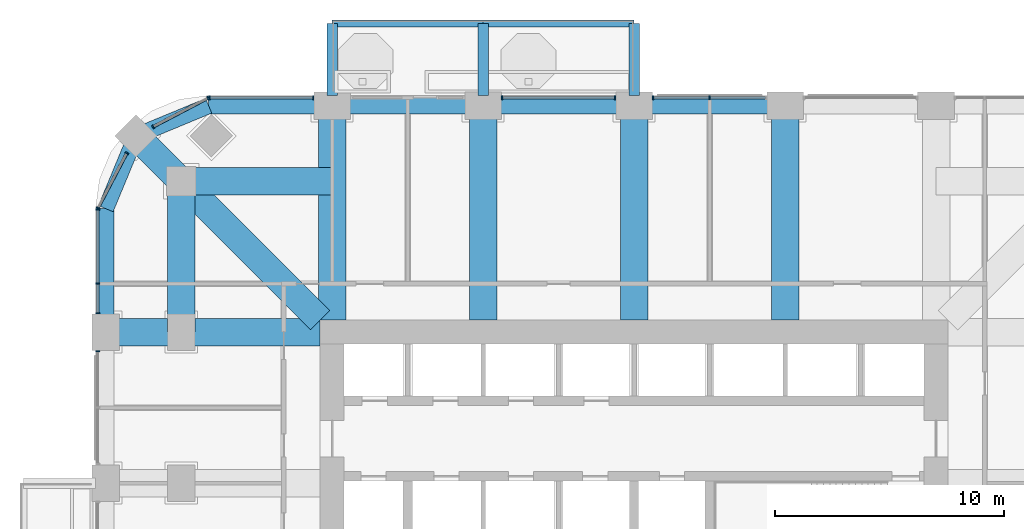
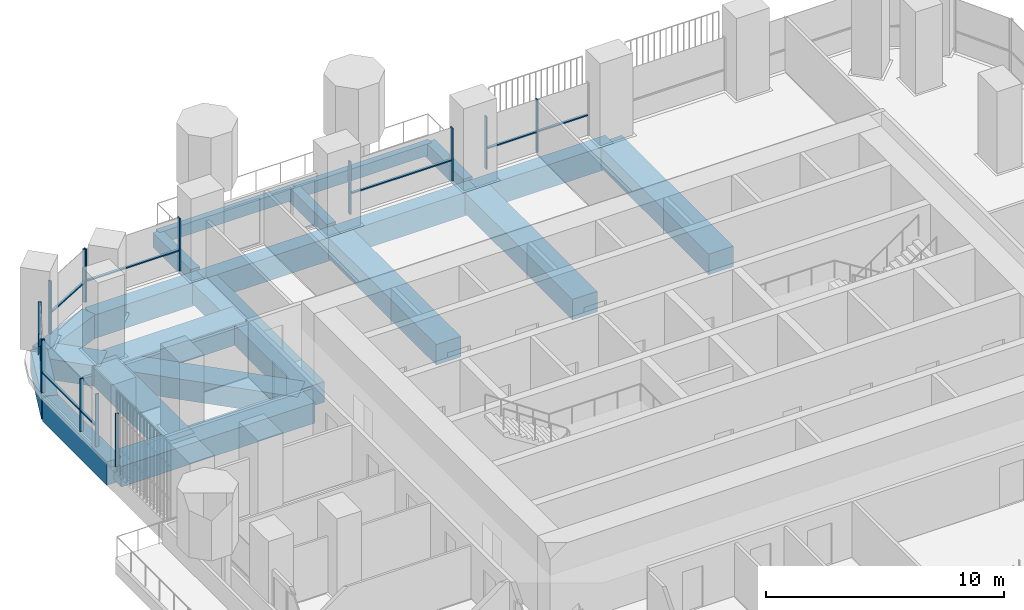
# One storey, part 6 of 19: 22 members, 21 beams, 7 elements without a shape of their own.
"""IFC4 building model written with IfcOpenShell, lengths in metres."""

from ifc_helpers import new_model, si_unit, direction, frame, origin, origin_2d, place, context, subcontext, project, spatial, rectangle, extrude, material, material_profile, profile_set, type_object, element, aggregate, save


model = new_model("IFC4")

# Units and contexts
model_context = context("Model", 3, precision=1e-05, world=origin(), true_north=direction((0.0, 1.0)))
body_context = subcontext(model_context, "Body", "Model", "MODEL_VIEW")
ifc_project = project(units=[si_unit("LENGTHUNIT", "METRE"), si_unit("AREAUNIT", "SQUARE_METRE"), si_unit("VOLUMEUNIT", "CUBIC_METRE"), si_unit("PLANEANGLEUNIT", "RADIAN"), si_unit("MASSUNIT", "GRAM", prefix="KILO")], contexts=[model_context])

# Site, building, storey
site_placement = place(None, origin())
site = spatial("IfcSite", under=ifc_project, at=site_placement, CompositionType="ELEMENT")
building_placement = place(site_placement, origin())
building = spatial("IfcBuilding", under=site, at=building_placement, Name="Cobogo Forest Laboratory Tower", CompositionType="ELEMENT")
storey_placement = place(building_placement, frame((0.0, 0.0, 159.89990234375)))
storey = spatial("IfcBuildingStorey", under=building, at=storey_placement, Name="L36", CompositionType="ELEMENT", Elevation=159.89990234375)

# Beams
ifc_material_1 = material(Name="Concrete HA-40 (C40/50)", Category="concrete")
ifc_material_profile_1 = material_profile(ifc_material_1, rectangle(XDim=0.449951171875, YDim=0.75, at=origin_2d()), Name="RC 450x750")
ifc_profile_set_1 = profile_set([ifc_material_profile_1], Name="Concrete HA-40 (C40/50)")
beam_type_1 = type_object("IfcBeamType", Name="Balcony cantilever beam 450x750", PredefinedType="BEAM", material=ifc_profile_set_1)
for number, where, z_axis, x_axis, name in (
    (1, (13.199951171875, 43.35009765625, -0.625), (0.0, 1.0, 0.0), (-1.0, 0.0, 0.0), "CB1 BAL-N1-C1 L36"),
    (2, (19.800048828125, 43.35009765625, -0.625), (0.0, 1.0, 0.0), (-1.0, 0.0, 0.0), "CB1 BAL-N1-C2 L36"),
    (3, (26.39990234375, 43.35009765625, -0.625), (0.0, 1.0, 0.0), (-1.0, 0.0, 0.0), "CB1 BAL-N1-C3 L36"),
):
    element("IfcBeam", number, at=place(storey_placement, frame(where, z_axis=z_axis, x_axis=x_axis)), inside=storey, type_object=beam_type_1, Name=name, PredefinedType="BEAM", context=body_context, shape_type="SweptSolid", body=[
        extrude(rectangle(XDim=0.449951171875, YDim=0.75, at=origin_2d()), origin(), (0.0, 0.0, 1.0), 3.14990234375),
    ])
ifc_material_profile_2 = material_profile(ifc_material_1, rectangle(XDim=0.300048828125, YDim=0.60009765625, at=origin_2d()), Name="RC 300x600")
ifc_profile_set_2 = profile_set([ifc_material_profile_2], Name="Concrete HA-40 (C40/50)")
beam_type_2 = type_object("IfcBeamType", Name="Balcony edge beam 300x600", PredefinedType="BEAM", material=ifc_profile_set_2)
beam_1_placement = place(storey_placement, frame((13.199951171875, 46.5, -0.5498046875), z_axis=(1.0, 0.0, 0.0), x_axis=(0.0, 1.0, 0.0)))
element("IfcBeam", 4, at=beam_1_placement, inside=storey, type_object=beam_type_2, Name="BB1 BAL-N1-T1 L36", PredefinedType="BEAM", context=body_context, shape_type="SweptSolid", body=[
    extrude(rectangle(XDim=0.300048828125, YDim=0.60009765625, at=origin_2d()), origin(), (0.0, 0.0, 1.0), 6.60009765625),
])
beam_2_placement = place(storey_placement, frame((19.800048828125, 46.5, -0.5498046875), z_axis=(1.0, 0.0, 0.0), x_axis=(0.0, 1.0, 0.0)))
element("IfcBeam", 5, at=beam_2_placement, inside=storey, type_object=beam_type_2, Name="BB1 BAL-N1-T2 L36", PredefinedType="BEAM", context=body_context, shape_type="SweptSolid", body=[
    extrude(rectangle(XDim=0.300048828125, YDim=0.60009765625, at=origin_2d()), origin(), (0.0, 0.0, 1.0), 6.599853515625),
])
ifc_material_profile_3 = material_profile(ifc_material_1, rectangle(XDim=1.199951171875, YDim=1.050048828125, at=origin_2d()), Name="RC 1200x1050")
ifc_profile_set_3 = profile_set([ifc_material_profile_3], Name="Concrete HA-40 (C40/50)")
beam_type_3 = type_object("IfcBeamType", Name="Laboratory floor wide beam 1200x1050", PredefinedType="BEAM", material=ifc_profile_set_3)
for number, where, z_axis, x_axis, name in (
    (6, (13.199951171875, 33.52490234375, -0.824951171875), (0.0, 1.0, 0.0), (-1.0, 0.0, 0.0), "RB1 R-3-N L36"),
    (7, (19.800048828125, 33.52490234375, -0.824951171875), (0.0, 1.0, 0.0), (-1.0, 0.0, 0.0), "RB1 R-4-N L36"),
    (8, (26.39990234375, 33.52490234375, -0.824951171875), (0.0, 1.0, 0.0), (-1.0, 0.0, 0.0), "RB1 R-5-N L36"),
    (9, (33.0, 33.52490234375, -0.824951171875), (0.0, 1.0, 0.0), (-1.0, 0.0, 0.0), "RB1 R-6-N L36"),
    (10, (12.675048828125, 33.0, -0.824951171875), (-1.0, 0.0, 0.0), (0.0, -1.0, 0.0), "RB1 R-F-W L36"),
):
    element("IfcBeam", number, at=place(storey_placement, frame(where, z_axis=z_axis, x_axis=x_axis)), inside=storey, type_object=beam_type_3, Name=name, PredefinedType="BEAM", context=body_context, shape_type="SweptSolid", body=[
        extrude(rectangle(XDim=1.199951171875, YDim=1.050048828125, at=origin_2d()), origin(), (0.0, 0.0, 1.0), 9.375),
    ])
beam_3_placement = place(storey_placement, frame((6.60009765625, 39.60009765625, -0.824951171875), z_axis=(0.0, -1.0, 0.0), x_axis=(1.0, 0.0, 0.0)))
element("IfcBeam", 11, at=beam_3_placement, inside=storey, type_object=beam_type_3, Name="RB1 G-NW-XC L36", PredefinedType="BEAM", context=body_context, shape_type="SweptSolid", body=[
    extrude(rectangle(XDim=1.199951171875, YDim=1.050048828125, at=origin_2d()), origin(), (0.0, 0.0, 1.0), 6.60009765625),
])
beam_4_placement = place(storey_placement, frame((6.60009765625, 39.60009765625, -0.824951171875), z_axis=(1.0, 0.0, 0.0), x_axis=(0.0, 1.0, 0.0)))
element("IfcBeam", 12, at=beam_4_placement, inside=storey, type_object=beam_type_3, Name="RB1 G-NW-YC L36", PredefinedType="BEAM", context=body_context, shape_type="SweptSolid", body=[
    extrude(rectangle(XDim=1.199951171875, YDim=1.050048828125, at=origin_2d()), origin(), (0.0, 0.0, 1.0), 6.599853515625),
])
beam_5_placement = place(storey_placement, frame((4.617919921875, 41.58203125, -0.824951171875), z_axis=(0.707150328948, -0.707063230743, 0.0), x_axis=(0.707063230743, 0.707150328948, 0.0)))
element("IfcBeam", 13, at=beam_5_placement, inside=storey, type_object=beam_type_3, Name="RB1 G-NW-D1 L36", PredefinedType="BEAM", context=body_context, shape_type="SweptSolid", body=[
    extrude(rectangle(XDim=1.199951171875, YDim=1.050048828125, at=origin_2d()), origin(), (0.0, 0.0, 1.0), 2.802978515625),
])
beam_6_placement = place(storey_placement, frame((6.60009765625, 39.60009765625, -0.824951171875), z_axis=(0.707092572697, -0.70712098939, 0.0), x_axis=(0.70712098939, 0.707092572697, 0.0)))
element("IfcBeam", 14, at=beam_6_placement, inside=storey, type_object=beam_type_3, Name="RB1 G-NW-D2 L36", PredefinedType="BEAM", context=body_context, shape_type="SweptSolid", body=[
    extrude(rectangle(XDim=1.199951171875, YDim=1.050048828125, at=origin_2d()), origin(), (0.0, 0.0, 1.0), 8.591552734375),
])

# Curtain wall, members
ifc_material_2 = material(Name="Aluminium curtain wall", Category="aluminium")
curtain_wall_type = type_object("IfcCurtainWallType", Name="CW-2 unitised curtain wall, solar control glazing, laboratory floors zones C and D", PredefinedType="USERDEFINED", material=ifc_material_2)
curtain_wall_1_placement = place(storey_placement, origin())
curtain_wall_1 = element("IfcCurtainWall", 15, at=curtain_wall_1_placement, inside=storey, type_object=curtain_wall_type, Name="Curtain wall 18 L36", ObjectType="UNITISED CURTAIN WALL", PredefinedType="USERDEFINED")
ifc_material_3 = material(Name="Aluminium mullion", Category="aluminium")
ifc_material_profile_4 = material_profile(ifc_material_3, rectangle(XDim=0.06005859375, YDim=0.159912109375, at=origin_2d()), Name="AL 60x160")
ifc_profile_set_4 = profile_set([ifc_material_profile_4], Name="Aluminium mullion")
member_type_1 = type_object("IfcMemberType", Name="MU-1 aluminium mullion 60x160", PredefinedType="MULLION", material=ifc_profile_set_4)
member_1_placement = place(storey_placement, frame((29.699951171875, 43.25, 0.0), z_axis=(0.0, 0.0, 1.0), x_axis=(-1.0, 0.0, 0.0)))
member_1 = element("IfcMember", 16, at=member_1_placement, type_object=member_type_1, Name="CW-2 mullion 2", PredefinedType="MULLION", context=body_context, shape_type="SweptSolid", body=[
    extrude(rectangle(XDim=0.06005859375, YDim=0.159912109375, at=origin_2d()), origin(), (0.0, 0.0, 1.0), 2.7001953125),
])
member_2_placement = place(storey_placement, frame((27.22998046875, 43.25, 0.0), z_axis=(0.0, 0.0, 1.0), x_axis=(-1.0, 0.0, 0.0)))
member_2 = element("IfcMember", 17, at=member_2_placement, type_object=member_type_1, Name="CW-2 mullion 3", PredefinedType="MULLION", context=body_context, shape_type="SweptSolid", body=[
    extrude(rectangle(XDim=0.06005859375, YDim=0.159912109375, at=origin_2d()), origin(), (0.0, 0.0, 1.0), 2.7001953125),
])

curtain_wall_2_placement = place(storey_placement, origin())
curtain_wall_2 = element("IfcCurtainWall", 18, at=curtain_wall_2_placement, inside=storey, type_object=curtain_wall_type, Name="Curtain wall 19 L36", ObjectType="UNITISED CURTAIN WALL", PredefinedType="USERDEFINED")
member_3_placement = place(storey_placement, frame((25.570068359375, 43.25, 0.0), z_axis=(0.0, 0.0, 1.0), x_axis=(-1.0, 0.0, 0.0)))
member_3 = element("IfcMember", 19, at=member_3_placement, type_object=member_type_1, Name="CW-2 mullion 1", PredefinedType="MULLION", context=body_context, shape_type="SweptSolid", body=[
    extrude(rectangle(XDim=0.06005859375, YDim=0.159912109375, at=origin_2d()), origin(), (0.0, 0.0, 1.0), 2.7001953125),
])
member_4_placement = place(storey_placement, frame((20.6298828125, 43.25, 0.0), z_axis=(0.0, 0.0, 1.0), x_axis=(-1.0, 0.0, 0.0)))
member_4 = element("IfcMember", 20, at=member_4_placement, type_object=member_type_1, Name="CW-2 mullion 2", PredefinedType="MULLION", context=body_context, shape_type="SweptSolid", body=[
    extrude(rectangle(XDim=0.06005859375, YDim=0.159912109375, at=origin_2d()), origin(), (0.0, 0.0, 1.0), 2.7001953125),
])

curtain_wall_3_placement = place(storey_placement, origin())
curtain_wall_3 = element("IfcCurtainWall", 21, at=curtain_wall_3_placement, inside=storey, type_object=curtain_wall_type, Name="Curtain wall 21 L36", ObjectType="UNITISED CURTAIN WALL", PredefinedType="USERDEFINED")
member_5_placement = place(storey_placement, frame((12.3701171875, 43.25, 0.0), z_axis=(0.0, 0.0, 1.0), x_axis=(-1.0, 0.0, 0.0)))
member_5 = element("IfcMember", 22, at=member_5_placement, type_object=member_type_1, Name="CW-2 mullion 1", PredefinedType="MULLION", context=body_context, shape_type="SweptSolid", body=[
    extrude(rectangle(XDim=0.06005859375, YDim=0.159912109375, at=origin_2d()), origin(), (0.0, 0.0, 1.0), 2.7001953125),
])
member_6_placement = place(storey_placement, frame((7.830078125, 43.25, 0.0), z_axis=(0.0, 0.0, 1.0), x_axis=(-1.0, 0.0, 0.0)))
member_6 = element("IfcMember", 23, at=member_6_placement, type_object=member_type_1, Name="CW-2 mullion 2", PredefinedType="MULLION", context=body_context, shape_type="SweptSolid", body=[
    extrude(rectangle(XDim=0.06005859375, YDim=0.159912109375, at=origin_2d()), origin(), (0.0, 0.0, 1.0), 2.7001953125),
])

curtain_wall_4_placement = place(storey_placement, origin())
curtain_wall_4 = element("IfcCurtainWall", 24, at=curtain_wall_4_placement, inside=storey, type_object=curtain_wall_type, Name="Curtain wall 22 L36", ObjectType="UNITISED CURTAIN WALL", PredefinedType="USERDEFINED")
member_7_placement = place(storey_placement, frame((7.7734375, 43.236083984375, 0.0), z_axis=(0.0, 0.0, 1.0), x_axis=(-0.885686547075, -0.464283685186, 0.0)))
member_7 = element("IfcMember", 25, at=member_7_placement, type_object=member_type_1, Name="CW-2 mullion 1", PredefinedType="MULLION", context=body_context, shape_type="SweptSolid", body=[
    extrude(rectangle(XDim=0.06005859375, YDim=0.159912109375, at=origin_2d()), origin(), (0.0, 0.0, 1.0), 2.7001953125),
])
member_8_placement = place(storey_placement, frame((5.368408203125, 41.975341796875, 0.0), z_axis=(0.0, 0.0, 1.0), x_axis=(-0.885686547075, -0.464283685186, 0.0)))
member_8 = element("IfcMember", 26, at=member_8_placement, type_object=member_type_1, Name="CW-2 mullion 2", PredefinedType="MULLION", context=body_context, shape_type="SweptSolid", body=[
    extrude(rectangle(XDim=0.06005859375, YDim=0.159912109375, at=origin_2d()), origin(), (0.0, 0.0, 1.0), 2.7001953125),
])

curtain_wall_5_placement = place(storey_placement, origin())
curtain_wall_5 = element("IfcCurtainWall", 27, at=curtain_wall_5_placement, inside=storey, type_object=curtain_wall_type, Name="Curtain wall 23 L36", ObjectType="UNITISED CURTAIN WALL", PredefinedType="USERDEFINED")
member_9_placement = place(storey_placement, frame((4.224609375, 40.831787109375, 0.0), z_axis=(0.0, 0.0, 1.0), x_axis=(-0.464283685186, -0.885686547075, 0.0)))
member_9 = element("IfcMember", 28, at=member_9_placement, type_object=member_type_1, Name="CW-2 mullion 1", PredefinedType="MULLION", context=body_context, shape_type="SweptSolid", body=[
    extrude(rectangle(XDim=0.06005859375, YDim=0.159912109375, at=origin_2d()), origin(), (0.0, 0.0, 1.0), 2.7001953125),
])
member_10_placement = place(storey_placement, frame((2.9638671875, 38.426513671875, 0.0), z_axis=(0.0, 0.0, 1.0), x_axis=(-0.464283685186, -0.885686547075, 0.0)))
member_10 = element("IfcMember", 29, at=member_10_placement, type_object=member_type_1, Name="CW-2 mullion 2", PredefinedType="MULLION", context=body_context, shape_type="SweptSolid", body=[
    extrude(rectangle(XDim=0.06005859375, YDim=0.159912109375, at=origin_2d()), origin(), (0.0, 0.0, 1.0), 2.7001953125),
])

curtain_wall_6_placement = place(storey_placement, origin())
curtain_wall_6 = element("IfcCurtainWall", 30, at=curtain_wall_6_placement, inside=storey, type_object=curtain_wall_type, Name="Curtain wall 24 L36", ObjectType="UNITISED CURTAIN WALL", PredefinedType="USERDEFINED")
member_11_placement = place(storey_placement, frame((2.949951171875, 38.3701171875, 0.0), z_axis=(0.0, 0.0, 1.0), x_axis=(0.0, -1.0, 0.0)))
member_11 = element("IfcMember", 31, at=member_11_placement, type_object=member_type_1, Name="CW-2 mullion 1", PredefinedType="MULLION", context=body_context, shape_type="SweptSolid", body=[
    extrude(rectangle(XDim=0.06005859375, YDim=0.159912109375, at=origin_2d()), origin(), (0.0, 0.0, 1.0), 2.7001953125),
])
member_12_placement = place(storey_placement, frame((2.949951171875, 35.125, 0.0), z_axis=(0.0, 0.0, 1.0), x_axis=(0.0, -1.0, 0.0)))
member_12 = element("IfcMember", 32, at=member_12_placement, type_object=member_type_1, Name="CW-2 mullion 2", PredefinedType="MULLION", context=body_context, shape_type="SweptSolid", body=[
    extrude(rectangle(XDim=0.06005859375, YDim=0.159912109375, at=origin_2d()), origin(), (0.0, 0.0, 1.0), 2.7001953125),
])
member_13_placement = place(storey_placement, frame((2.949951171875, 33.830078125, 0.0), z_axis=(0.0, 0.0, 1.0), x_axis=(0.0, -1.0, 0.0)))
member_13 = element("IfcMember", 33, at=member_13_placement, type_object=member_type_1, Name="CW-2 mullion 3", PredefinedType="MULLION", context=body_context, shape_type="SweptSolid", body=[
    extrude(rectangle(XDim=0.06005859375, YDim=0.159912109375, at=origin_2d()), origin(), (0.0, 0.0, 1.0), 2.7001953125),
])

# Curtain wall, member
curtain_wall_7_placement = place(storey_placement, origin())
curtain_wall_7 = element("IfcCurtainWall", 34, at=curtain_wall_7_placement, inside=storey, type_object=curtain_wall_type, Name="Curtain wall 25 L36", ObjectType="UNITISED CURTAIN WALL", PredefinedType="USERDEFINED")
member_14_placement = place(storey_placement, frame((2.949951171875, 32.169921875, 0.0), z_axis=(0.0, 0.0, 1.0), x_axis=(0.0, -1.0, 0.0)))
member_14 = element("IfcMember", 35, at=member_14_placement, type_object=member_type_1, Name="CW-2 mullion 1", PredefinedType="MULLION", context=body_context, shape_type="SweptSolid", body=[
    extrude(rectangle(XDim=0.06005859375, YDim=0.159912109375, at=origin_2d()), origin(), (0.0, 0.0, 1.0), 2.7001953125),
])
aggregate(curtain_wall_7, [member_14])

# Beams
ifc_material_profile_5 = material_profile(ifc_material_1, rectangle(XDim=0.699951171875, YDim=1.199951171875, at=origin_2d()), Name="RC 700x1200")
ifc_profile_set_5 = profile_set([ifc_material_profile_5], Name="Concrete HA-40 (C40/50)")
beam_type_4 = type_object("IfcBeamType", Name="Perimeter edge beam 700x1200", PredefinedType="BEAM", material=ifc_profile_set_5)
beam_7_placement = place(storey_placement, frame((13.199951171875, 42.89990234375, -0.89990234375), z_axis=(1.0, 0.0, 0.0), x_axis=(0.0, 1.0, 0.0)))
element("IfcBeam", 36, at=beam_7_placement, inside=storey, type_object=beam_type_4, Name="EB1 E-N1 L36", PredefinedType="BEAM", context=body_context, shape_type="SweptSolid", body=[
    extrude(rectangle(XDim=0.699951171875, YDim=1.199951171875, at=origin_2d()), origin(), (0.0, 0.0, 1.0), 6.60009765625),
])
beam_8_placement = place(storey_placement, frame((19.800048828125, 42.89990234375, -0.89990234375), z_axis=(1.0, 0.0, 0.0), x_axis=(0.0, 1.0, 0.0)))
element("IfcBeam", 37, at=beam_8_placement, inside=storey, type_object=beam_type_4, Name="EB1 E-N2 L36", PredefinedType="BEAM", context=body_context, shape_type="SweptSolid", body=[
    extrude(rectangle(XDim=0.699951171875, YDim=1.199951171875, at=origin_2d()), origin(), (0.0, 0.0, 1.0), 6.599853515625),
])
beam_9_placement = place(storey_placement, frame((26.39990234375, 42.89990234375, -0.89990234375), z_axis=(1.0, 0.0, 0.0), x_axis=(0.0, 1.0, 0.0)))
element("IfcBeam", 38, at=beam_9_placement, inside=storey, type_object=beam_type_4, Name="EB1 E-N3 L36", PredefinedType="BEAM", context=body_context, shape_type="SweptSolid", body=[
    extrude(rectangle(XDim=0.699951171875, YDim=1.199951171875, at=origin_2d()), origin(), (0.0, 0.0, 1.0), 6.60009765625),
])
beam_10_placement = place(storey_placement, frame((13.199951171875, 42.89990234375, -0.89990234375), z_axis=(-1.0, 0.0, 0.0), x_axis=(0.0, -1.0, 0.0)))
element("IfcBeam", 39, at=beam_10_placement, inside=storey, type_object=beam_type_4, Name="EB1 E-NWN1 L36", PredefinedType="BEAM", context=body_context, shape_type="SweptSolid", body=[
    extrude(rectangle(XDim=0.699951171875, YDim=1.199951171875, at=origin_2d()), origin(), (0.0, 0.0, 1.0), 5.39990234375),
])
beam_11_placement = place(storey_placement, frame((7.800048828125, 42.89990234375, -0.89990234375), z_axis=(-0.923901072997, -0.382631424892, 0.0), x_axis=(0.382631424892, -0.923901072997, 0.0)))
element("IfcBeam", 40, at=beam_11_placement, inside=storey, type_object=beam_type_4, Name="EB1 E-NWN2 L36", PredefinedType="BEAM", context=body_context, shape_type="SweptSolid", body=[
    extrude(rectangle(XDim=0.699951171875, YDim=1.199951171875, at=origin_2d()), origin(), (0.0, 0.0, 1.0), 3.4443359375),
])
beam_12_placement = place(storey_placement, frame((3.300048828125, 33.0, -0.89990234375), z_axis=(0.0, 1.0, 0.0), x_axis=(-1.0, 0.0, 0.0)))
element("IfcBeam", 41, at=beam_12_placement, inside=storey, type_object=beam_type_4, Name="EB1 E-NWW1 L36", PredefinedType="BEAM", context=body_context, shape_type="SweptSolid", body=[
    extrude(rectangle(XDim=0.699951171875, YDim=1.199951171875, at=origin_2d()), origin(), (0.0, 0.0, 1.0), 5.39990234375),
])
beam_13_placement = place(storey_placement, frame((3.300048828125, 38.39990234375, -0.89990234375), z_axis=(0.382631424892, 0.923901072997, 0.0), x_axis=(-0.923901072997, 0.382631424892, 0.0)))
element("IfcBeam", 42, at=beam_13_placement, inside=storey, type_object=beam_type_4, Name="EB1 E-NWW2 L36", PredefinedType="BEAM", context=body_context, shape_type="SweptSolid", body=[
    extrude(rectangle(XDim=0.699951171875, YDim=1.199951171875, at=origin_2d()), origin(), (0.0, 0.0, 1.0), 3.4443359375),
])

# Member
ifc_material_4 = material(Name="Aluminium transom", Category="aluminium")
ifc_material_profile_6 = material_profile(ifc_material_4, rectangle(XDim=0.1201171875, YDim=0.06005859375, at=origin_2d()), Name="AL 60x120")
ifc_profile_set_6 = profile_set([ifc_material_profile_6], Name="Aluminium transom")
member_type_2 = type_object("IfcMemberType", Name="TR-1 aluminium transom 60x120", PredefinedType="USERDEFINED", material=ifc_profile_set_6)
member_15_placement = place(storey_placement, frame((32.139892578125, 43.25, 1.050048828125), z_axis=(-1.0, 0.0, 0.0), x_axis=(0.0, -1.0, 0.0)))
member_15 = element("IfcMember", 43, at=member_15_placement, type_object=member_type_2, Name="CW-2 transom 1.1", ObjectType="TRANSOM", PredefinedType="USERDEFINED", context=body_context, shape_type="SweptSolid", body=[
    extrude(rectangle(XDim=0.1201171875, YDim=0.06005859375, at=origin_2d()), origin(), (0.0, 0.0, 1.0), 2.409912109375),
])

member_16_placement = place(storey_placement, frame((29.669921875, 43.25, 1.050048828125), z_axis=(-1.0, 0.0, 0.0), x_axis=(0.0, -1.0, 0.0)))
member_16 = element("IfcMember", 44, at=member_16_placement, type_object=member_type_2, Name="CW-2 transom 2.1", ObjectType="TRANSOM", PredefinedType="USERDEFINED", context=body_context, shape_type="SweptSolid", body=[
    extrude(rectangle(XDim=0.1201171875, YDim=0.06005859375, at=origin_2d()), origin(), (0.0, 0.0, 1.0), 2.409912109375),
])

aggregate(curtain_wall_1, [member_1, member_2, member_15, member_16])

member_17_placement = place(storey_placement, frame((25.5400390625, 43.25, 1.050048828125), z_axis=(-1.0, 0.0, 0.0), x_axis=(0.0, -1.0, 0.0)))
member_17 = element("IfcMember", 45, at=member_17_placement, type_object=member_type_2, Name="CW-2 transom 1.1", ObjectType="TRANSOM", PredefinedType="USERDEFINED", context=body_context, shape_type="SweptSolid", body=[
    extrude(rectangle(XDim=0.1201171875, YDim=0.06005859375, at=origin_2d()), origin(), (0.0, 0.0, 1.0), 4.880126953125),
])

aggregate(curtain_wall_2, [member_3, member_4, member_17])

member_18_placement = place(storey_placement, frame((12.340087890625, 43.25, 1.050048828125), z_axis=(-1.0, 0.0, 0.0), x_axis=(0.0, -1.0, 0.0)))
member_18 = element("IfcMember", 46, at=member_18_placement, type_object=member_type_2, Name="CW-2 transom 1.1", ObjectType="TRANSOM", PredefinedType="USERDEFINED", context=body_context, shape_type="SweptSolid", body=[
    extrude(rectangle(XDim=0.1201171875, YDim=0.06005859375, at=origin_2d()), origin(), (0.0, 0.0, 1.0), 4.47998046875),
])

aggregate(curtain_wall_3, [member_5, member_6, member_18])

member_19_placement = place(storey_placement, frame((7.746826171875, 43.22216796875, 1.050048828125), z_axis=(-0.885694740493, -0.464268054753, 0.0), x_axis=(0.464268054753, -0.885694740493, 0.0)))
member_19 = element("IfcMember", 47, at=member_19_placement, type_object=member_type_2, Name="CW-2 transom 1.1", ObjectType="TRANSOM", PredefinedType="USERDEFINED", context=body_context, shape_type="SweptSolid", body=[
    extrude(rectangle(XDim=0.1201171875, YDim=0.06005859375, at=origin_2d()), origin(), (0.0, 0.0, 1.0), 2.655517578125),
])

aggregate(curtain_wall_4, [member_7, member_8, member_19])

member_20_placement = place(storey_placement, frame((4.210693359375, 40.80517578125, 1.050048828125), z_axis=(-0.464268054753, -0.885694740493, 0.0), x_axis=(0.885694740493, -0.464268054753, 0.0)))
member_20 = element("IfcMember", 48, at=member_20_placement, type_object=member_type_2, Name="CW-2 transom 1.1", ObjectType="TRANSOM", PredefinedType="USERDEFINED", context=body_context, shape_type="SweptSolid", body=[
    extrude(rectangle(XDim=0.1201171875, YDim=0.06005859375, at=origin_2d()), origin(), (0.0, 0.0, 1.0), 2.655517578125),
])

aggregate(curtain_wall_5, [member_9, member_10, member_20])

member_21_placement = place(storey_placement, frame((2.949951171875, 38.340087890625, 1.050048828125), z_axis=(0.0, -1.0, 0.0), x_axis=(1.0, 0.0, 0.0)))
member_21 = element("IfcMember", 49, at=member_21_placement, type_object=member_type_2, Name="CW-2 transom 1.1", ObjectType="TRANSOM", PredefinedType="USERDEFINED", context=body_context, shape_type="SweptSolid", body=[
    extrude(rectangle(XDim=0.1201171875, YDim=0.06005859375, at=origin_2d()), origin(), (0.0, 0.0, 1.0), 3.18505859375),
])

member_22_placement = place(storey_placement, frame((2.949951171875, 35.094970703125, 1.050048828125), z_axis=(0.0, -1.0, 0.0), x_axis=(1.0, 0.0, 0.0)))
member_22 = element("IfcMember", 50, at=member_22_placement, type_object=member_type_2, Name="CW-2 transom 2.1", ObjectType="TRANSOM", PredefinedType="USERDEFINED", context=body_context, shape_type="SweptSolid", body=[
    extrude(rectangle(XDim=0.1201171875, YDim=0.06005859375, at=origin_2d()), origin(), (0.0, 0.0, 1.0), 1.23486328125),
])

aggregate(curtain_wall_6, [member_11, member_12, member_13, member_21, member_22])

save(model, "model.ifc")
